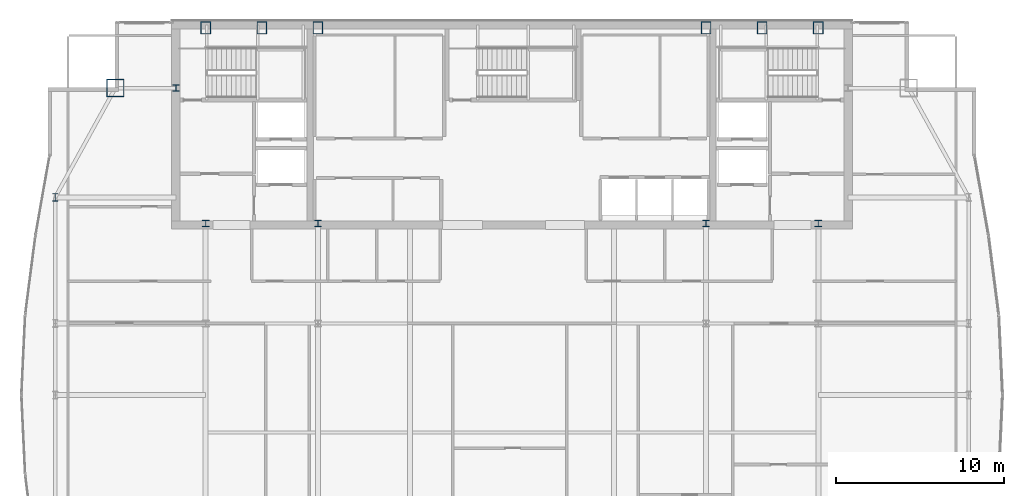
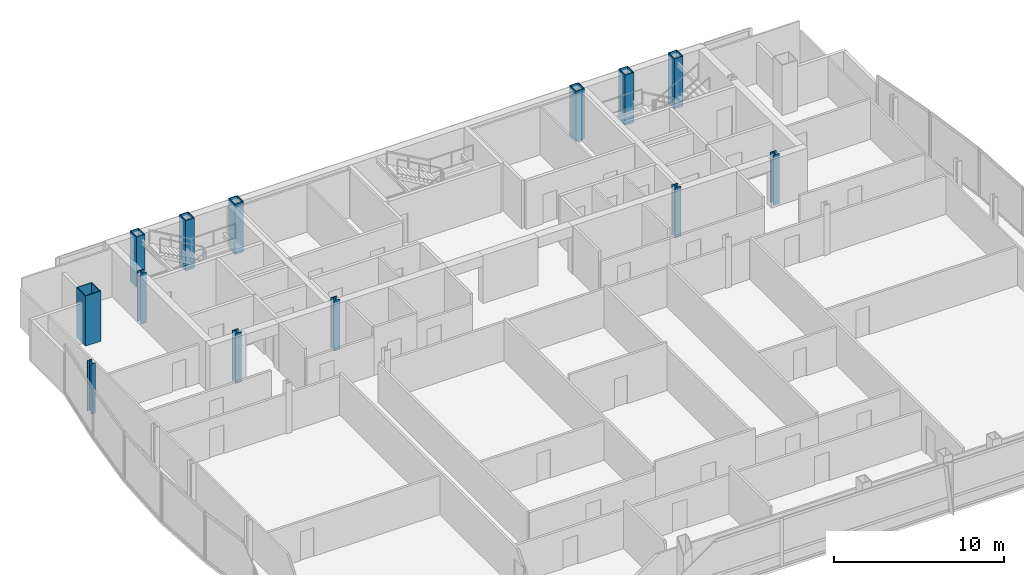
# One storey, part 3 of 30: 13 columns.
"""IFC4 building model written with IfcOpenShell, lengths in metres."""

from ifc_helpers import new_model, si_unit, direction, frame, origin, origin_2d, place, context, subcontext, project, spatial, hollow_rectangle, i_section, extrude, material, material_profile, profile_set, type_object, element, save


model = new_model("IFC4")

# Units and contexts
model_context = context("Model", 3, precision=1e-05, world=origin(), true_north=direction((0.0, 1.0)))
body_context = subcontext(model_context, "Body", "Model", "MODEL_VIEW")
ifc_project = project(units=[si_unit("LENGTHUNIT", "METRE"), si_unit("AREAUNIT", "SQUARE_METRE"), si_unit("VOLUMEUNIT", "CUBIC_METRE"), si_unit("PLANEANGLEUNIT", "RADIAN"), si_unit("MASSUNIT", "GRAM", prefix="KILO")], contexts=[model_context])

# Site, building, storey
site_placement = place(None, origin())
site = spatial("IfcSite", under=ifc_project, at=site_placement, CompositionType="ELEMENT")
building_placement = place(site_placement, origin())
building = spatial("IfcBuilding", under=site, at=building_placement, Name="Khoronbel Lancet Exchange", CompositionType="ELEMENT")
storey_placement = place(building_placement, frame((0.0, 0.0, 277.0)))
storey = spatial("IfcBuildingStorey", under=building, at=storey_placement, Name="L71", CompositionType="ELEMENT", Elevation=277.0)

# Columns
ifc_material_1 = material(Name="Steel S460", Category="steel")
ifc_material_profile_1 = material_profile(ifc_material_1, hollow_rectangle(XDim=0.60009765625, YDim=0.75, WallThickness=0.044921875, at=origin_2d()), Name="BOX 750x600x45")
ifc_profile_set_1 = profile_set([ifc_material_profile_1], Name="Steel S460")
column_type_1 = type_object("IfcColumnType", Name="COL-EC3", PredefinedType="COLUMN", material=ifc_profile_set_1)
for number, where, z_axis, x_axis, name in (
    (1, (18.22509765625, 53.280029296875, 0.0), (0.0, 0.0, 1.0), (1.0, 0.0, 0.0), "Structural column NC-W1 L71"),
    (2, (21.5625, 53.280029296875, 0.0), (0.0, 0.0, 1.0), (1.0, 0.0, 0.0), "Structural column NC-WM L71"),
    (3, (24.89990234375, 53.280029296875, 0.0), (0.0, 0.0, 1.0), (1.0, 0.0, 0.0), "Structural column NC-W2 L71"),
    (4, (48.0, 53.280029296875, 0.0), (0.0, 0.0, 1.0), (1.0, 0.0, 0.0), "Structural column NC-E1 L71"),
    (5, (51.33740234375, 53.280029296875, 0.0), (0.0, 0.0, 1.0), (1.0, 0.0, 0.0), "Structural column NC-EM L71"),
    (6, (54.675048828125, 53.280029296875, 0.0), (0.0, 0.0, 1.0), (1.0, 0.0, 0.0), "Structural column NC-E2 L71"),
):
    element("IfcColumn", number, at=place(storey_placement, frame(where, z_axis=z_axis, x_axis=x_axis)), inside=storey, type_object=column_type_1, Name=name, PredefinedType="COLUMN", context=body_context, shape_type="SweptSolid", body=[
        extrude(hollow_rectangle(XDim=0.60009765625, YDim=0.75, WallThickness=0.044921875, at=origin_2d()), origin(), (0.0, 0.0, 1.0), 3.60009765625),
    ])
ifc_material_2 = material(Name="Steel S355", Category="steel")
ifc_material_profile_2 = material_profile(ifc_material_2, i_section(OverallWidth=0.39892578125, OverallDepth=0.39306640625, WebThickness=0.022705078125, FlangeThickness=0.03662109375, at=origin_2d()), Name="HD 400x287")
ifc_profile_set_2 = profile_set([ifc_material_profile_2], Name="Steel S355")
column_type_2 = type_object("IfcColumnType", Name="COL-IC4", PredefinedType="COLUMN", material=ifc_profile_set_2)
for number, where, z_axis, x_axis, name in (
    (7, (16.449951171875, 49.699951171875, 0.0), (0.0, 0.0, 1.0), (1.0, 0.0, 0.0), "Core-flank plumb transfer column CFW L71"),
    (8, (18.22509765625, 41.64990234375, 0.0), (0.0, 0.0, 1.0), (1.0, 0.0, 0.0), "Core-embedded steel column CTC1 L71"),
    (9, (24.89990234375, 41.64990234375, 0.0), (0.0, 0.0, 1.0), (1.0, 0.0, 0.0), "Core-embedded steel column CTC2 L71"),
    (10, (48.0, 41.64990234375, 0.0), (0.0, 0.0, 1.0), (1.0, 0.0, 0.0), "Core-embedded steel column CTC3 L71"),
    (11, (54.675048828125, 41.64990234375, 0.0), (0.0, 0.0, 1.0), (1.0, 0.0, 0.0), "Core-embedded steel column CTC4 L71"),
):
    element("IfcColumn", number, at=place(storey_placement, frame(where, z_axis=z_axis, x_axis=x_axis)), inside=storey, type_object=column_type_2, Name=name, PredefinedType="COLUMN", context=body_context, shape_type="SweptSolid", body=[
        extrude(i_section(OverallWidth=0.39892578125, OverallDepth=0.39306640625, WebThickness=0.022705078125, FlangeThickness=0.03662109375, at=origin_2d()), origin(), (0.0, 0.0, 1.0), 3.60009765625),
    ])
ifc_material_profile_3 = material_profile(ifc_material_2, i_section(OverallWidth=0.300048828125, OverallDepth=0.449951171875, WebThickness=0.013916015625, FlangeThickness=0.02587890625, at=origin_2d()), Name="HEB 450")
ifc_profile_set_3 = profile_set([ifc_material_profile_3], Name="Steel S355")
column_type_3 = type_object("IfcColumnType", Name="COL-LC2", PredefinedType="COLUMN", material=ifc_profile_set_3)
column_1_placement = place(storey_placement, frame((9.27001953125, 43.199951171875, 0.0), z_axis=(0.0, 0.0, 1.0), x_axis=(1.0, 0.0, 0.0)))
element("IfcColumn", 12, at=column_1_placement, inside=storey, type_object=column_type_3, Name="Structural column WC-4 L71", PredefinedType="COLUMN", context=body_context, shape_type="SweptSolid", body=[
    extrude(i_section(OverallWidth=0.300048828125, OverallDepth=0.449951171875, WebThickness=0.013916015625, FlangeThickness=0.02587890625, at=origin_2d()), origin(), (0.0, 0.0, 1.0), 3.60009765625),
])
ifc_material_profile_4 = material_profile(ifc_material_1, hollow_rectangle(XDim=1.050048828125, YDim=1.050048828125, WallThickness=0.054931640625, at=origin_2d()), Name="BOX 1050x1050x55")
ifc_profile_set_4 = profile_set([ifc_material_profile_4], Name="Steel S460")
column_type_4 = type_object("IfcColumnType", Name="COL-MC6", PredefinedType="COLUMN", material=ifc_profile_set_4)
column_2_placement = place(storey_placement, frame((12.85009765625, 49.699951171875, 0.0), z_axis=(0.0, 0.0, 1.0), x_axis=(1.0, 0.0, 0.0)))
element("IfcColumn", 13, at=column_2_placement, inside=storey, type_object=column_type_4, Name="Structural column MC-NW L71", PredefinedType="COLUMN", context=body_context, shape_type="SweptSolid", body=[
    extrude(hollow_rectangle(XDim=1.050048828125, YDim=1.050048828125, WallThickness=0.054931640625, at=origin_2d()), origin(), (0.0, 0.0, 1.0), 3.60009765625),
])

save(model, "model.ifc")
